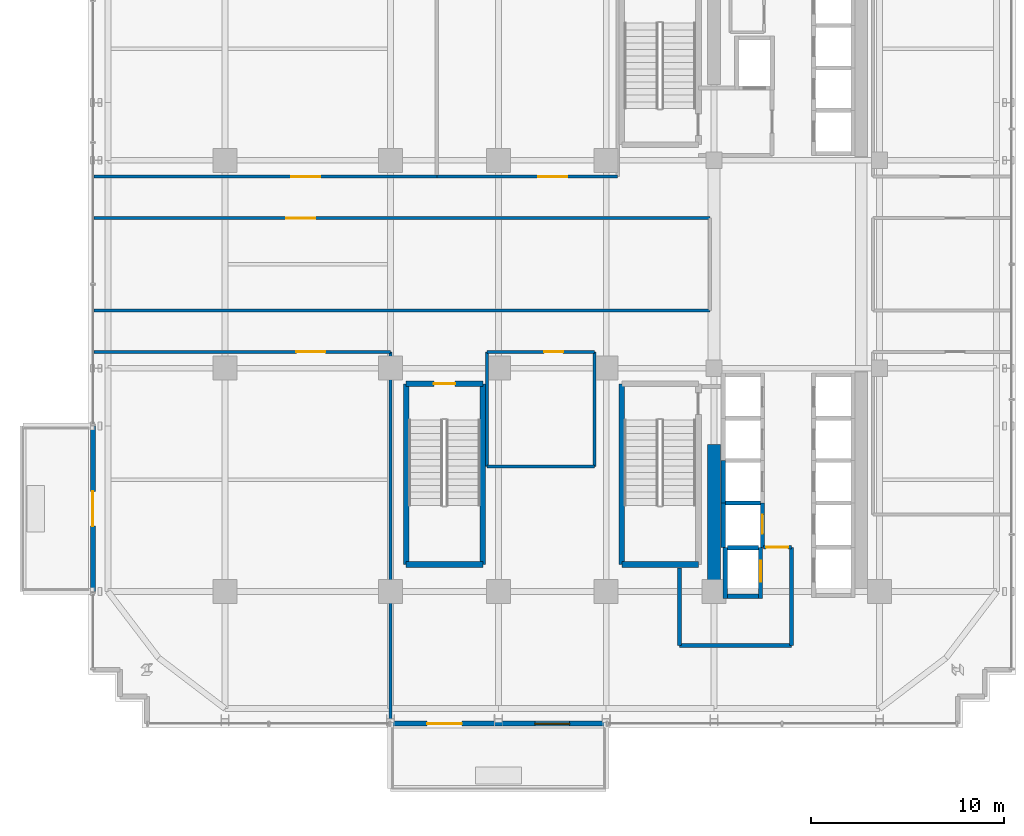
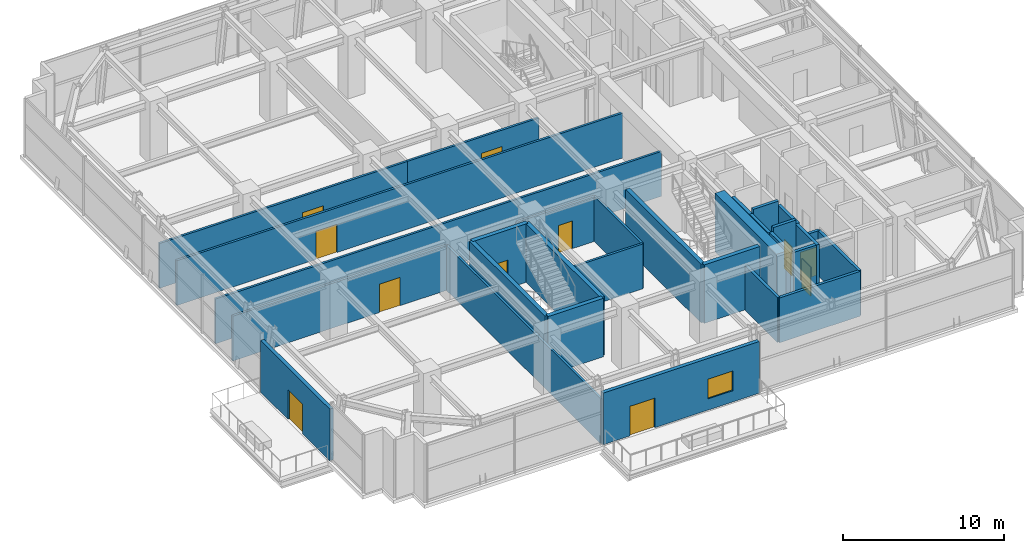
# One storey, part 20 of 26: 31 walls, 11 doors, 1 window, 12 openings.
"""IFC4 building model written with IfcOpenShell, lengths in metres."""

from ifc_helpers import new_model, si_unit, direction, frame, frame_2d, origin, place, context, subcontext, project, spatial, rectangle, extrude, source, transform, mapped, material, layer, layer_set, type_object, element, fill, save


model = new_model("IFC4")

# Units and contexts
model_context = context("Model", 3, precision=1e-05, world=origin(), true_north=direction((0.0, 1.0)))
body_context = subcontext(model_context, "Body", "Model", "MODEL_VIEW")
ifc_project = project(units=[si_unit("LENGTHUNIT", "METRE"), si_unit("AREAUNIT", "SQUARE_METRE"), si_unit("VOLUMEUNIT", "CUBIC_METRE"), si_unit("PLANEANGLEUNIT", "RADIAN"), si_unit("MASSUNIT", "GRAM", prefix="KILO")], contexts=[model_context])

# Site, building, storey
site_placement = place(None, origin())
site = spatial("IfcSite", under=ifc_project, at=site_placement, CompositionType="ELEMENT")
building_placement = place(site_placement, origin())
building = spatial("IfcBuilding", under=site, at=building_placement, Name="Nahalor Promenade Grand Hotel", CompositionType="ELEMENT")
storey_placement = place(building_placement, frame((0.0, 0.0, 139.39990234375)))
storey = spatial("IfcBuildingStorey", under=building, at=storey_placement, Name="L35", CompositionType="ELEMENT", Elevation=139.39990234375)

# Walls
ifc_material_1 = material(Name="Concrete B-60 (C50/60)", Category="concrete")
ifc_layer_1 = layer(ifc_material_1, 0.64990234375)
ifc_layer_set_1 = layer_set([ifc_layer_1], Name="Concrete B-60 (C50/60)")
wall_type_1 = type_object("IfcWallType", Name="Wall-CoreShear-650", PredefinedType="SHEAR", material=ifc_layer_set_1)
shared_shape_1 = source(origin(), body_context, "Body", "SweptSolid", [
    extrude(rectangle(XDim=7.64990234375, YDim=0.64990234375, at=frame_2d((3.824951171875, 0.0))), origin(), (0.0, 0.0, 1.0), 4.440185546875),
])
wall_1_placement = place(storey_placement, frame((8.39990234375, -17.0, 0.0), z_axis=(0.0, 0.0, 1.0), x_axis=(0.0, 1.0, 0.0)))
element("IfcWall", 1, at=wall_1_placement, inside=storey, type_object=wall_type_1, Name="CWALL-L35-SW", PredefinedType="SHEAR", context=body_context, shape_type="MappedRepresentation", body=[
    mapped(shared_shape_1, transform((0.0, 0.0, 0.0), scale=1.0)),
])
ifc_material_2 = material(Name="Concrete B-50 (C40/50)", Category="concrete")
ifc_layer_2 = layer(ifc_material_2, 0.300048828125)
ifc_layer_set_2 = layer_set([ifc_layer_2], Name="Concrete B-50 (C40/50)")
wall_type_2 = type_object("IfcWallType", Name="Wall-ShaftShear-300", PredefinedType="SHEAR", material=ifc_layer_set_2)
shared_shape_2 = source(origin(), body_context, "Body", "SweptSolid", [
    extrude(rectangle(XDim=3.97998046875, YDim=0.300048828125, at=frame_2d((1.989990234375, 0.0))), origin(), (0.0, 0.0, 1.0), 4.440185546875),
])
for number, where, z_axis, x_axis, name in (
    (2, (3.610107421875, -15.590087890625, 0.0), (0.0, 0.0, 1.0), (1.0, 0.0, 0.0), "L35 Exit Stair ST2 Shaft Wall S"),
    (3, (-7.590087890625, -15.590087890625, 0.0), (0.0, 0.0, 1.0), (1.0, 0.0, 0.0), "L35 Exit Stair ST3 Shaft Wall S"),
):
    element("IfcWall", number, at=place(storey_placement, frame(where, z_axis=z_axis, x_axis=x_axis)), inside=storey, type_object=wall_type_2, Name=name, PredefinedType="SHEAR", context=body_context, shape_type="MappedRepresentation", body=[
        mapped(shared_shape_2, transform((0.0, 0.0, 0.0), scale=1.0)),
    ])

# Wall, opening, door
wall_2_placement = place(storey_placement, frame((-7.590087890625, -6.2099609375, 0.0), z_axis=(0.0, 0.0, 1.0), x_axis=(1.0, 0.0, 0.0)))
wall_2 = element("IfcWall", 4, at=wall_2_placement, inside=storey, type_object=wall_type_2, Name="L35 Exit Stair ST3 Shaft Wall N", PredefinedType="SHEAR", context=body_context, shape_type="MappedRepresentation", body=[
    mapped(shared_shape_2, transform((0.0, 0.0, 0.0), scale=1.0)),
])
opening_1_placement = place(wall_2_placement, frame((1.43994140625, 0.0, 0.0)))
opening_1 = element("IfcOpeningElement", 5, at=opening_1_placement, cuts=wall_2, Name="Opening D-ST1", PredefinedType="OPENING", context=body_context, shape_type="SweptSolid", body=[
    extrude(rectangle(XDim=1.10009765625, YDim=2.14990234375, at=frame_2d((0.550048828125, 1.074951171875))), frame((0.0, 0.159912109375, 0.0), z_axis=(0.0, -1.0, 0.0), x_axis=(1.0, 0.0, 0.0)), (0.0, 0.0, 1.0), 0.320068359375),
])
ifc_material_3 = material(Name="Steel S355JR", Category="steel")
door_type_1 = type_object("IfcDoorType", Name="Door-StairFire-1100", OperationType="NOTDEFINED", PredefinedType="DOOR", material=ifc_material_3)
shared_shape_3 = source(origin(), body_context, "Body", "SweptSolid", [
    extrude(rectangle(XDim=1.10009765625, YDim=2.14990234375, at=frame_2d((0.550048828125, 1.074951171875))), frame((0.0, 0.02490234375, 0.0), z_axis=(0.0, -1.0, 0.0), x_axis=(1.0, 0.0, 0.0)), (0.0, 0.0, 1.0), 0.050048828125),
])
door_1_placement = place(opening_1_placement, frame((1.10009765625, 0.0, 0.0), z_axis=(0.0, 0.0, 1.0), x_axis=(-1.0, 0.0, 0.0)))
door_1 = element("IfcDoor", 6, at=door_1_placement, inside=storey, type_object=door_type_1, Name="DR-STAIR-ST3-L35", OperationType="SINGLE_SWING_RIGHT", OverallHeight=2.14990234375, OverallWidth=1.10009765625, PredefinedType="DOOR", context=body_context, shape_type="MappedRepresentation", body=[
    mapped(shared_shape_3, transform((0.0, 0.0, 0.0), scale=1.0)),
])
fill(opening_1, door_1)

# Walls
shared_shape_4 = source(origin(), body_context, "Body", "SweptSolid", [
    extrude(rectangle(XDim=9.380126953125, YDim=0.300048828125, at=frame_2d((4.68994140625, 0.0))), origin(), (0.0, 0.0, 1.0), 4.440185546875),
])
for number, where, z_axis, x_axis, name in (
    (7, (3.610107421875, -15.590087890625, 0.0), (0.0, 0.0, 1.0), (0.0, 1.0, 0.0), "L35 Exit Stair ST2 Shaft Wall W"),
    (8, (-7.590087890625, -15.590087890625, 0.0), (0.0, 0.0, 1.0), (0.0, 1.0, 0.0), "L35 Exit Stair ST3 Shaft Wall W"),
    (9, (-3.610107421875, -15.590087890625, 0.0), (0.0, 0.0, 1.0), (0.0, 1.0, 0.0), "L35 Exit Stair ST3 Shaft Wall E"),
):
    element("IfcWall", number, at=place(storey_placement, frame(where, z_axis=z_axis, x_axis=x_axis)), inside=storey, type_object=wall_type_2, Name=name, PredefinedType="SHEAR", context=body_context, shape_type="MappedRepresentation", body=[
        mapped(shared_shape_4, transform((0.0, 0.0, 0.0), scale=1.0)),
    ])
ifc_layer_3 = layer(ifc_material_2, 0.219970703125)
ifc_layer_set_3 = layer_set([ifc_layer_3], Name="Concrete B-50 (C40/50)")
wall_type_3 = type_object("IfcWallType", Name="Wall-LiftShaft-220", PredefinedType="SHEAR", material=ifc_layer_set_3)
shared_shape_5 = source(origin(), body_context, "Body", "SweptSolid", [
    extrude(rectangle(XDim=1.820068359375, YDim=0.219970703125, at=frame_2d((0.91015625, 0.0))), origin(), (0.0, 0.0, 1.0), 4.800048828125),
])
wall_3_placement = place(storey_placement, frame((8.989990234375, -12.39990234375, 0.0), z_axis=(0.0, 0.0, 1.0), x_axis=(1.0, 0.0, 0.0)))
element("IfcWall", 10, at=wall_3_placement, inside=storey, type_object=wall_type_3, Name="L35 Lift PL12 Hoistway Wall N", PredefinedType="SHEAR", context=body_context, shape_type="MappedRepresentation", body=[
    mapped(shared_shape_5, transform((0.0, 0.0, 0.0), scale=1.0)),
])
shared_shape_6 = source(origin(), body_context, "Body", "SweptSolid", [
    extrude(rectangle(XDim=2.199951171875, YDim=0.219970703125, at=frame_2d((1.10009765625, 0.0))), origin(), (0.0, 0.0, 1.0), 4.440185546875),
])
wall_4_placement = place(storey_placement, frame((8.8798828125, -12.39990234375, 0.0), z_axis=(0.0, 0.0, 1.0), x_axis=(0.0, 1.0, 0.0)))
element("IfcWall", 11, at=wall_4_placement, inside=storey, type_object=wall_type_3, Name="L35 Lift PL11 Hoistway Wall W", PredefinedType="SHEAR", context=body_context, shape_type="MappedRepresentation", body=[
    mapped(shared_shape_6, transform((0.0, 0.0, 0.0), scale=1.0)),
])
shared_shape_7 = source(origin(), body_context, "Body", "SweptSolid", [
    extrude(rectangle(XDim=2.3251953125, YDim=0.219970703125, at=frame_2d((1.16259765625, 0.0))), origin(), (0.0, 0.0, 1.0), 4.440185546875),
])
wall_5_placement = place(storey_placement, frame((8.8798828125, -14.72509765625, 0.0), z_axis=(0.0, 0.0, 1.0), x_axis=(0.0, 1.0, 0.0)))
element("IfcWall", 12, at=wall_5_placement, inside=storey, type_object=wall_type_3, Name="L35 Lift PL12 Hoistway Wall W", PredefinedType="SHEAR", context=body_context, shape_type="MappedRepresentation", body=[
    mapped(shared_shape_7, transform((0.0, 0.0, 0.0), scale=1.0)),
])

# Wall, opening, door
wall_6_placement = place(storey_placement, frame((10.919921875, -14.72509765625, 0.0), z_axis=(0.0, 0.0, 1.0), x_axis=(0.0, 1.0, 0.0)))
wall_6 = element("IfcWall", 13, at=wall_6_placement, inside=storey, type_object=wall_type_3, Name="L35 Lift PL12 Hoistway Wall E", PredefinedType="SHEAR", context=body_context, shape_type="MappedRepresentation", body=[
    mapped(shared_shape_7, transform((0.0, 0.0, 0.0), scale=1.0)),
])
opening_2_placement = place(wall_6_placement, frame((0.72509765625, 0.0, 0.0)))
opening_2 = element("IfcOpeningElement", 14, at=opening_2_placement, cuts=wall_6, Name="Opening LD-01", PredefinedType="OPENING", context=body_context, shape_type="SweptSolid", body=[
    extrude(rectangle(XDim=1.0, YDim=2.199951171875, at=frame_2d((0.5, 1.10009765625))), frame((0.0, 0.119873046875, 0.0), z_axis=(0.0, -1.0, 0.0), x_axis=(1.0, 0.0, 0.0)), (0.0, 0.0, 1.0), 0.239990234375),
])
door_type_2 = type_object("IfcDoorType", Name="Door-LiftLanding-1000", OperationType="DOUBLE_DOOR_SLIDING", PredefinedType="DOOR", material=ifc_material_3)
shared_shape_8 = source(origin(), body_context, "Body", "SweptSolid", [
    extrude(rectangle(XDim=1.0, YDim=2.199951171875, at=frame_2d((0.5, 1.10009765625))), frame((0.0, 0.02490234375, 0.0), z_axis=(0.0, -1.0, 0.0), x_axis=(1.0, 0.0, 0.0)), (0.0, 0.0, 1.0), 0.050048828125),
])
door_2_placement = place(opening_2_placement, frame((1.0, 0.0, 0.0), z_axis=(0.0, 0.0, 1.0), x_axis=(-1.0, 0.0, 0.0)))
door_2 = element("IfcDoor", 15, at=door_2_placement, inside=storey, type_object=door_type_2, Name="DR-LIFT-PL12-L35", OperationType="DOUBLE_DOOR_SLIDING", OverallHeight=2.199951171875, OverallWidth=1.0, PredefinedType="DOOR", context=body_context, shape_type="MappedRepresentation", body=[
    mapped(shared_shape_8, transform((0.0, 0.0, 0.0), scale=1.0)),
])
fill(opening_2, door_2)

# Walls
shared_shape_9 = source(origin(), body_context, "Body", "SweptSolid", [
    extrude(rectangle(XDim=1.619873046875, YDim=0.219970703125, at=frame_2d((0.81005859375, 0.0))), origin(), (0.0, 0.0, 1.0), 4.800048828125),
])
wall_7_placement = place(storey_placement, frame((9.090087890625, -14.72509765625, 0.0), z_axis=(0.0, 0.0, 1.0), x_axis=(1.0, 0.0, 0.0)))
element("IfcWall", 16, at=wall_7_placement, inside=storey, type_object=wall_type_3, Name="L35 Lift FL2 Hoistway Wall N", PredefinedType="SHEAR", context=body_context, shape_type="MappedRepresentation", body=[
    mapped(shared_shape_9, transform((0.0, 0.0, 0.0), scale=1.0)),
])
shared_shape_10 = source(origin(), body_context, "Body", "SweptSolid", [
    extrude(rectangle(XDim=2.635009765625, YDim=0.219970703125, at=frame_2d((1.3173828125, 0.0))), origin(), (0.0, 0.0, 1.0), 4.440185546875),
])
wall_8_placement = place(storey_placement, frame((8.97998046875, -17.360107421875, 0.0), z_axis=(0.0, 0.0, 1.0), x_axis=(0.0, 1.0, 0.0)))
element("IfcWall", 17, at=wall_8_placement, inside=storey, type_object=wall_type_3, Name="L35 Lift FL2 Hoistway Wall W", PredefinedType="SHEAR", context=body_context, shape_type="MappedRepresentation", body=[
    mapped(shared_shape_10, transform((0.0, 0.0, 0.0), scale=1.0)),
])

# Wall, opening, door
wall_9_placement = place(storey_placement, frame((10.820068359375, -17.360107421875, 0.0), z_axis=(0.0, 0.0, 1.0), x_axis=(0.0, 1.0, 0.0)))
wall_9 = element("IfcWall", 18, at=wall_9_placement, inside=storey, type_object=wall_type_3, Name="L35 Lift FL2 Hoistway Wall E", PredefinedType="SHEAR", context=body_context, shape_type="MappedRepresentation", body=[
    mapped(shared_shape_10, transform((0.0, 0.0, 0.0), scale=1.0)),
])
opening_3_placement = place(wall_9_placement, frame((0.860107421875, 0.0, 0.0)))
opening_3 = element("IfcOpeningElement", 19, at=opening_3_placement, cuts=wall_9, Name="Opening LD-02", PredefinedType="OPENING", context=body_context, shape_type="SweptSolid", body=[
    extrude(rectangle(XDim=1.10009765625, YDim=2.199951171875, at=frame_2d((0.550048828125, 1.10009765625))), frame((0.0, 0.119873046875, 0.0), z_axis=(0.0, -1.0, 0.0), x_axis=(1.0, 0.0, 0.0)), (0.0, 0.0, 1.0), 0.239990234375),
])
door_type_3 = type_object("IfcDoorType", Name="Door-LiftFF-1100", OperationType="DOUBLE_DOOR_SLIDING", PredefinedType="DOOR", material=ifc_material_3)
shared_shape_11 = source(origin(), body_context, "Body", "SweptSolid", [
    extrude(rectangle(XDim=1.10009765625, YDim=2.199951171875, at=frame_2d((0.550048828125, 1.10009765625))), frame((0.0, 0.02490234375, 0.0), z_axis=(0.0, -1.0, 0.0), x_axis=(1.0, 0.0, 0.0)), (0.0, 0.0, 1.0), 0.050048828125),
])
door_3_placement = place(opening_3_placement, frame((1.10009765625, 0.0, 0.0), z_axis=(0.0, 0.0, 1.0), x_axis=(-1.0, 0.0, 0.0)))
door_3 = element("IfcDoor", 20, at=door_3_placement, inside=storey, type_object=door_type_3, Name="DR-LIFT-FL2-L35", OperationType="DOUBLE_DOOR_SLIDING", OverallHeight=2.199951171875, OverallWidth=1.10009765625, PredefinedType="DOOR", context=body_context, shape_type="MappedRepresentation", body=[
    mapped(shared_shape_11, transform((0.0, 0.0, 0.0), scale=1.0)),
])
fill(opening_3, door_3)

# Wall
shared_shape_12 = source(origin(), body_context, "Body", "SweptSolid", [
    extrude(rectangle(XDim=1.619873046875, YDim=0.219970703125, at=frame_2d((0.81005859375, 0.0))), origin(), (0.0, 0.0, 1.0), 4.440185546875),
])
wall_10_placement = place(storey_placement, frame((9.090087890625, -17.25, 0.0), z_axis=(0.0, 0.0, 1.0), x_axis=(1.0, 0.0, 0.0)))
element("IfcWall", 21, at=wall_10_placement, inside=storey, type_object=wall_type_3, Name="L35 Lift FL2 Hoistway Wall S", PredefinedType="SHEAR", context=body_context, shape_type="MappedRepresentation", body=[
    mapped(shared_shape_12, transform((0.0, 0.0, 0.0), scale=1.0)),
])

# Wall, openings, door, window
ifc_material_4 = material(Name="Concrete B-40 (C32/40)", Category="concrete")
ifc_layer_4 = layer(ifc_material_4, 0.260009765625)
ifc_layer_set_4 = layer_set([ifc_layer_4], Name="Concrete B-40 (C32/40)")
wall_type_4 = type_object("IfcWallType", Name="Wall-BalconyWall-260", PredefinedType="STANDARD", material=ifc_layer_set_4)
shared_shape_13 = source(origin(), body_context, "Body", "SweptSolid", [
    extrude(rectangle(XDim=11.199951171875, YDim=0.260009765625, at=frame_2d((5.60009765625, 0.0))), origin(), (0.0, 0.0, 1.0), 3.920166015625),
])
wall_11_placement = place(storey_placement, frame((-8.39990234375, -23.860107421875, 0.0), z_axis=(0.0, 0.0, 1.0), x_axis=(1.0, 0.0, 0.0)))
wall_11 = element("IfcWall", 22, at=wall_11_placement, inside=storey, type_object=wall_type_4, Name="W-L35-BALC-S-2", PredefinedType="STANDARD", context=body_context, shape_type="MappedRepresentation", body=[
    mapped(shared_shape_13, transform((0.0, 0.0, 0.0), scale=1.0)),
])
opening_4_placement = place(wall_11_placement, frame((1.89990234375, 0.0, 0.0)))
opening_4 = element("IfcOpeningElement", 23, at=opening_4_placement, cuts=wall_11, Name="Opening D-BC1", PredefinedType="OPENING", context=body_context, shape_type="SweptSolid", body=[
    extrude(rectangle(XDim=1.800048828125, YDim=2.25, at=frame_2d((0.89990234375, 1.125))), frame((0.0, 0.139892578125, 0.0), z_axis=(0.0, -1.0, 0.0), x_axis=(1.0, 0.0, 0.0)), (0.0, 0.0, 1.0), 0.280029296875),
])
opening_5_placement = place(wall_11_placement, frame((7.5, 0.0, 0.85009765625)))
opening_5 = element("IfcOpeningElement", 24, at=opening_5_placement, cuts=wall_11, Name="Opening WN-01", PredefinedType="OPENING", context=body_context, shape_type="SweptSolid", body=[
    extrude(rectangle(XDim=1.800048828125, YDim=1.5, at=frame_2d((0.89990234375, 0.75))), frame((0.0, 0.139892578125, 0.0), z_axis=(0.0, -1.0, 0.0), x_axis=(1.0, 0.0, 0.0)), (0.0, 0.0, 1.0), 0.280029296875),
])
ifc_material_5 = material(Name="Anodised Bronze Aluminium EN AW-6063 T6", Category="aluminium")
door_type_4 = type_object("IfcDoorType", Name="Door-BalconySlide-1800", OperationType="DOUBLE_DOOR_SLIDING", PredefinedType="DOOR", material=ifc_material_5)
shared_shape_14 = source(origin(), body_context, "Body", "SweptSolid", [
    extrude(rectangle(XDim=1.800048828125, YDim=2.25, at=frame_2d((0.89990234375, 1.125))), frame((0.0, 0.02490234375, 0.0), z_axis=(0.0, -1.0, 0.0), x_axis=(1.0, 0.0, 0.0)), (0.0, 0.0, 1.0), 0.050048828125),
])
door_4_placement = place(opening_4_placement, frame((1.800048828125, 0.0, 0.0), z_axis=(0.0, 0.0, 1.0), x_axis=(-1.0, 0.0, 0.0)))
door_4 = element("IfcDoor", 25, at=door_4_placement, inside=storey, type_object=door_type_4, Name="DR-L35-BALC-S-2", OperationType="DOUBLE_DOOR_SLIDING", OverallHeight=2.25, OverallWidth=1.800048828125, PredefinedType="DOOR", context=body_context, shape_type="MappedRepresentation", body=[
    mapped(shared_shape_14, transform((0.0, 0.0, 0.0), scale=1.0)),
])
fill(opening_4, door_4)
ifc_material_6 = material(Name="Low-E Laminated Solar Glass", Category="glass")
window_type = type_object("IfcWindowType", Name="Win-ChicagoBay-1800x1500", PartitioningType="SINGLE_PANEL", PredefinedType="WINDOW", material=ifc_material_6)
shared_shape_15 = source(origin(), body_context, "Body", "SweptSolid", [
    extrude(rectangle(XDim=1.800048828125, YDim=1.5, at=frame_2d((0.89990234375, 0.75))), frame((0.0, 0.030029296875, 0.0), z_axis=(0.0, -1.0, 0.0), x_axis=(1.0, 0.0, 0.0)), (0.0, 0.0, 1.0), 0.06005859375),
])
window_placement = place(opening_5_placement, origin())
window = element("IfcWindow", 26, at=window_placement, inside=storey, type_object=window_type, Name="WN-L35-BALC-S-2-1", OverallHeight=1.5, OverallWidth=1.800048828125, PartitioningType="SINGLE_PANEL", PredefinedType="WINDOW", context=body_context, shape_type="MappedRepresentation", body=[
    mapped(shared_shape_15, transform((0.0, 0.0, 0.0), scale=1.0)),
])
fill(opening_5, window)

# Wall, opening, door
shared_shape_16 = source(origin(), body_context, "Body", "SweptSolid", [
    extrude(rectangle(XDim=8.60009765625, YDim=0.260009765625, at=frame_2d((4.300048828125, 0.0))), origin(), (0.0, 0.0, 1.0), 3.920166015625),
])
wall_12_placement = place(storey_placement, frame((-23.860107421875, -17.0, 0.0), z_axis=(0.0, 0.0, 1.0), x_axis=(0.0, 1.0, 0.0)))
wall_12 = element("IfcWall", 27, at=wall_12_placement, inside=storey, type_object=wall_type_4, Name="W-L35-BALC-W-2", PredefinedType="STANDARD", context=body_context, shape_type="MappedRepresentation", body=[
    mapped(shared_shape_16, transform((0.0, 0.0, 0.0), scale=1.0)),
])
opening_6_placement = place(wall_12_placement, frame((3.39990234375, 0.0, 0.0)))
opening_6 = element("IfcOpeningElement", 28, at=opening_6_placement, cuts=wall_12, Name="Opening D-BC1", PredefinedType="OPENING", context=body_context, shape_type="SweptSolid", body=[
    extrude(rectangle(XDim=1.800048828125, YDim=2.25, at=frame_2d((0.89990234375, 1.125))), frame((0.0, 0.139892578125, 0.0), z_axis=(0.0, -1.0, 0.0), x_axis=(1.0, 0.0, 0.0)), (0.0, 0.0, 1.0), 0.280029296875),
])
door_5_placement = place(opening_6_placement, origin())
door_5 = element("IfcDoor", 29, at=door_5_placement, inside=storey, type_object=door_type_4, Name="DR-L35-BALC-W-2", OperationType="DOUBLE_DOOR_SLIDING", OverallHeight=2.25, OverallWidth=1.800048828125, PredefinedType="DOOR", context=body_context, shape_type="MappedRepresentation", body=[
    mapped(shared_shape_14, transform((0.0, 0.0, 0.0), scale=1.0)),
])
fill(opening_6, door_5)

# Walls
ifc_layer_5 = layer(ifc_material_4, 0.199951171875)
ifc_layer_set_5 = layer_set([ifc_layer_5], Name="Concrete B-40 (C32/40)")
wall_type_5 = type_object("IfcWallType", Name="Wall-PartFire-200", PredefinedType="PARTITIONING", material=ifc_layer_set_5)
shared_shape_17 = source(origin(), body_context, "Body", "SweptSolid", [
    extrude(rectangle(XDim=5.81982421875, YDim=0.199951171875, at=frame_2d((2.909912109375, 0.0))), origin(), (0.0, 0.0, 1.0), 3.400146484375),
])
wall_13_placement = place(storey_placement, frame((6.60009765625, -19.800048828125, 0.0), z_axis=(0.0, 0.0, 1.0), x_axis=(1.0, 0.0, 0.0)))
element("IfcWall", 30, at=wall_13_placement, inside=storey, type_object=wall_type_5, Name="W-L35-FF2-S1", PredefinedType="PARTITIONING", context=body_context, shape_type="MappedRepresentation", body=[
    mapped(shared_shape_17, transform((0.0, 0.0, 0.0), scale=1.0)),
])
shared_shape_18 = source(origin(), body_context, "Body", "SweptSolid", [
    extrude(rectangle(XDim=4.030029296875, YDim=0.199951171875, at=frame_2d((2.01513671875, 0.0))), origin(), (0.0, 0.0, 1.0), 3.400146484375),
])
wall_14_placement = place(storey_placement, frame((6.60009765625, -19.800048828125, 0.0), z_axis=(0.0, 0.0, 1.0), x_axis=(0.0, 1.0, 0.0)))
element("IfcWall", 31, at=wall_14_placement, inside=storey, type_object=wall_type_5, Name="W-L35-FF2-W1", PredefinedType="PARTITIONING", context=body_context, shape_type="MappedRepresentation", body=[
    mapped(shared_shape_18, transform((0.0, 0.0, 0.0), scale=1.0)),
])
shared_shape_19 = source(origin(), body_context, "Body", "SweptSolid", [
    extrude(rectangle(XDim=5.10009765625, YDim=0.199951171875, at=frame_2d((2.550048828125, 0.0))), origin(), (0.0, 0.0, 1.0), 3.400146484375),
])
wall_15_placement = place(storey_placement, frame((12.419921875, -19.800048828125, 0.0), z_axis=(0.0, 0.0, 1.0), x_axis=(0.0, 1.0, 0.0)))
element("IfcWall", 32, at=wall_15_placement, inside=storey, type_object=wall_type_5, Name="W-L35-FF2-E", PredefinedType="PARTITIONING", context=body_context, shape_type="MappedRepresentation", body=[
    mapped(shared_shape_19, transform((0.0, 0.0, 0.0), scale=1.0)),
])

# Wall, opening, door
shared_shape_20 = source(origin(), body_context, "Body", "SweptSolid", [
    extrude(rectangle(XDim=1.4599609375, YDim=0.199951171875, at=frame_2d((0.72998046875, 0.0))), origin(), (0.0, 0.0, 1.0), 3.400146484375),
])
wall_16_placement = place(storey_placement, frame((10.9599609375, -14.699951171875, 0.0), z_axis=(0.0, 0.0, 1.0), x_axis=(1.0, 0.0, 0.0)))
wall_16 = element("IfcWall", 33, at=wall_16_placement, inside=storey, type_object=wall_type_5, Name="W-L35-FF2-N1", PredefinedType="PARTITIONING", context=body_context, shape_type="MappedRepresentation", body=[
    mapped(shared_shape_20, transform((0.0, 0.0, 0.0), scale=1.0)),
])
opening_7_placement = place(wall_16_placement, frame((0.14501953125, 0.0, 0.0)))
opening_7 = element("IfcOpeningElement", 34, at=opening_7_placement, cuts=wall_16, Name="Opening D-FF1", PredefinedType="OPENING", context=body_context, shape_type="SweptSolid", body=[
    extrude(rectangle(XDim=1.14990234375, YDim=2.14990234375, at=frame_2d((0.574951171875, 1.074951171875))), frame((0.0, 0.10986328125, 0.0), z_axis=(0.0, -1.0, 0.0), x_axis=(1.0, 0.0, 0.0)), (0.0, 0.0, 1.0), 0.219970703125),
])
door_type_5 = type_object("IfcDoorType", Name="Door-FFLobby-1150", OperationType="NOTDEFINED", PredefinedType="DOOR", material=ifc_material_3)
shared_shape_21 = source(origin(), body_context, "Body", "SweptSolid", [
    extrude(rectangle(XDim=1.14990234375, YDim=2.14990234375, at=frame_2d((0.574951171875, 1.074951171875))), frame((0.0, 0.02490234375, 0.0), z_axis=(0.0, -1.0, 0.0), x_axis=(1.0, 0.0, 0.0)), (0.0, 0.0, 1.0), 0.050048828125),
])
door_6_placement = place(opening_7_placement, origin())
door_6 = element("IfcDoor", 35, at=door_6_placement, inside=storey, type_object=door_type_5, Name="DR-L35-FFL2", OperationType="SINGLE_SWING_LEFT", OverallHeight=2.14990234375, OverallWidth=1.14990234375, PredefinedType="DOOR", context=body_context, shape_type="MappedRepresentation", body=[
    mapped(shared_shape_21, transform((0.0, 0.0, 0.0), scale=1.0)),
])
fill(opening_7, door_6)

# Wall
ifc_material_7 = material(Name="Acoustic Mineral Gypsum", Category="gypsum")
ifc_layer_6 = layer(ifc_material_7, 0.159912109375)
ifc_layer_set_6 = layer_set([ifc_layer_6], Name="Acoustic Mineral Gypsum")
wall_type_6 = type_object("IfcWallType", Name="Wall-PartCorridor-160", PredefinedType="PARTITIONING", material=ifc_layer_set_6)
shared_shape_22 = source(origin(), body_context, "Body", "SweptSolid", [
    extrude(rectangle(XDim=5.599853515625, YDim=0.159912109375, at=frame_2d((2.7998046875, 0.0))), origin(), (0.0, 0.0, 1.0), 3.400146484375),
])
wall_17_placement = place(storey_placement, frame((-3.39990234375, -10.5, 0.0), z_axis=(0.0, 0.0, 1.0), x_axis=(1.0, 0.0, 0.0)))
element("IfcWall", 36, at=wall_17_placement, inside=storey, type_object=wall_type_6, Name="W-L35-SK08-S", PredefinedType="PARTITIONING", context=body_context, shape_type="MappedRepresentation", body=[
    mapped(shared_shape_22, transform((0.0, 0.0, 0.0), scale=1.0)),
])

# Wall, opening, door
wall_18_placement = place(storey_placement, frame((-3.39990234375, -4.550048828125, 0.0), z_axis=(0.0, 0.0, 1.0), x_axis=(1.0, 0.0, 0.0)))
wall_18 = element("IfcWall", 37, at=wall_18_placement, inside=storey, type_object=wall_type_6, Name="W-L35-SK08-N", PredefinedType="PARTITIONING", context=body_context, shape_type="MappedRepresentation", body=[
    mapped(shared_shape_22, transform((0.0, 0.0, 0.0), scale=1.0)),
])
opening_8_placement = place(wall_18_placement, frame((2.97802734375, 0.0, 0.0)))
opening_8 = element("IfcOpeningElement", 38, at=opening_8_placement, cuts=wall_18, Name="Opening D-05", PredefinedType="OPENING", context=body_context, shape_type="SweptSolid", body=[
    extrude(rectangle(XDim=0.97998046875, YDim=2.10009765625, at=frame_2d((0.489990234375, 1.050048828125))), frame((0.0, 0.08984375, 0.0), z_axis=(0.0, -1.0, 0.0), x_axis=(1.0, 0.0, 0.0)), (0.0, 0.0, 1.0), 0.179931640625),
])
ifc_material_8 = material(Name="Fire-Rated Timber Composite", Category="wood")
door_type_6 = type_object("IfcDoorType", Name="Door-AccessibleWC-980", OperationType="NOTDEFINED", PredefinedType="DOOR", material=ifc_material_8)
shared_shape_23 = source(origin(), body_context, "Body", "SweptSolid", [
    extrude(rectangle(XDim=0.97998046875, YDim=2.10009765625, at=frame_2d((0.489990234375, 1.050048828125))), frame((0.0, 0.02490234375, 0.0), z_axis=(0.0, -1.0, 0.0), x_axis=(1.0, 0.0, 0.0)), (0.0, 0.0, 1.0), 0.050048828125),
])
door_7_placement = place(opening_8_placement, frame((0.97998046875, 0.0, 0.0), z_axis=(0.0, 0.0, 1.0), x_axis=(-1.0, 0.0, 0.0)))
door_7 = element("IfcDoor", 39, at=door_7_placement, inside=storey, type_object=door_type_6, Name="DR-L35-SK08", OperationType="SINGLE_SWING_RIGHT", OverallHeight=2.10009765625, OverallWidth=0.97998046875, PredefinedType="DOOR", context=body_context, shape_type="MappedRepresentation", body=[
    mapped(shared_shape_23, transform((0.0, 0.0, 0.0), scale=1.0)),
])
fill(opening_8, door_7)

# Wall
shared_shape_24 = source(origin(), body_context, "Body", "SweptSolid", [
    extrude(rectangle(XDim=32.0, YDim=0.159912109375, at=frame_2d((16.0, 0.0))), origin(), (0.0, 0.0, 1.0), 3.400146484375),
])
wall_19_placement = place(storey_placement, frame((-23.800048828125, -2.39990234375, 0.0), z_axis=(0.0, 0.0, 1.0), x_axis=(1.0, 0.0, 0.0)))
element("IfcWall", 40, at=wall_19_placement, inside=storey, type_object=wall_type_6, Name="W-L35-SK01-S", PredefinedType="PARTITIONING", context=body_context, shape_type="MappedRepresentation", body=[
    mapped(shared_shape_24, transform((0.0, 0.0, 0.0), scale=1.0)),
])

# Wall, opening, door
wall_20_placement = place(storey_placement, frame((-23.800048828125, 2.39990234375, 0.0), z_axis=(0.0, 0.0, 1.0), x_axis=(1.0, 0.0, 0.0)))
wall_20 = element("IfcWall", 41, at=wall_20_placement, inside=storey, type_object=wall_type_6, Name="W-L35-SK01-N", PredefinedType="PARTITIONING", context=body_context, shape_type="MappedRepresentation", body=[
    mapped(shared_shape_24, transform((0.0, 0.0, 0.0), scale=1.0)),
])
opening_9_placement = place(wall_20_placement, frame((9.990966796875, 0.0, 0.0)))
opening_9 = element("IfcOpeningElement", 42, at=opening_9_placement, cuts=wall_20, Name="Opening D-02", PredefinedType="OPENING", context=body_context, shape_type="SweptSolid", body=[
    extrude(rectangle(XDim=1.5, YDim=2.14990234375, at=frame_2d((0.75, 1.074951171875))), frame((0.0, 0.08984375, 0.0), z_axis=(0.0, -1.0, 0.0), x_axis=(1.0, 0.0, 0.0)), (0.0, 0.0, 1.0), 0.179931640625),
])
door_type_7 = type_object("IfcDoorType", Name="Door-SuiteDouble-1500", OperationType="DOUBLE_DOOR_SINGLE_SWING", PredefinedType="DOOR", material=ifc_material_8)
shared_shape_25 = source(origin(), body_context, "Body", "SweptSolid", [
    extrude(rectangle(XDim=1.5, YDim=2.14990234375, at=frame_2d((0.75, 1.074951171875))), frame((0.0, 0.02490234375, 0.0), z_axis=(0.0, -1.0, 0.0), x_axis=(1.0, 0.0, 0.0)), (0.0, 0.0, 1.0), 0.050048828125),
])
door_8_placement = place(opening_9_placement, frame((1.5, 0.0, 0.0), z_axis=(0.0, 0.0, 1.0), x_axis=(-1.0, 0.0, 0.0)))
door_8 = element("IfcDoor", 43, at=door_8_placement, inside=storey, type_object=door_type_7, Name="DR-L35-SK01", OperationType="DOUBLE_DOOR_SINGLE_SWING", OverallHeight=2.14990234375, OverallWidth=1.5, PredefinedType="DOOR", context=body_context, shape_type="MappedRepresentation", body=[
    mapped(shared_shape_25, transform((0.0, 0.0, 0.0), scale=1.0)),
])
fill(opening_9, door_8)

shared_shape_26 = source(origin(), body_context, "Body", "SweptSolid", [
    extrude(rectangle(XDim=17.800048828125, YDim=0.159912109375, at=frame_2d((8.89990234375, 0.0))), origin(), (0.0, 0.0, 1.0), 3.400146484375),
])
wall_21_placement = place(storey_placement, frame((-23.800048828125, 4.550048828125, 0.0), z_axis=(0.0, 0.0, 1.0), x_axis=(1.0, 0.0, 0.0)))
wall_21 = element("IfcWall", 44, at=wall_21_placement, inside=storey, type_object=wall_type_6, Name="W-L35-SK03-S", PredefinedType="PARTITIONING", context=body_context, shape_type="MappedRepresentation", body=[
    mapped(shared_shape_26, transform((0.0, 0.0, 0.0), scale=1.0)),
])
opening_10_placement = place(wall_21_placement, frame((10.241943359375, 0.0, 0.0)))
opening_10 = element("IfcOpeningElement", 45, at=opening_10_placement, cuts=wall_21, Name="Opening D-02", PredefinedType="OPENING", context=body_context, shape_type="SweptSolid", body=[
    extrude(rectangle(XDim=1.5, YDim=2.14990234375, at=frame_2d((0.75, 1.074951171875))), frame((0.0, 0.08984375, 0.0), z_axis=(0.0, -1.0, 0.0), x_axis=(1.0, 0.0, 0.0)), (0.0, 0.0, 1.0), 0.179931640625),
])
door_9_placement = place(opening_10_placement, origin())
door_9 = element("IfcDoor", 46, at=door_9_placement, inside=storey, type_object=door_type_7, Name="DR-L35-SK03", OperationType="DOUBLE_DOOR_SINGLE_SWING", OverallHeight=2.14990234375, OverallWidth=1.5, PredefinedType="DOOR", context=body_context, shape_type="MappedRepresentation", body=[
    mapped(shared_shape_25, transform((0.0, 0.0, 0.0), scale=1.0)),
])
fill(opening_10, door_9)

# Wall
shared_shape_27 = source(origin(), body_context, "Body", "SweptSolid", [
    extrude(rectangle(XDim=19.25, YDim=0.159912109375, at=frame_2d((9.625, 0.0))), origin(), (0.0, 0.0, 1.0), 3.400146484375),
])
wall_22_placement = place(storey_placement, frame((-8.39990234375, -23.800048828125, 0.0), z_axis=(0.0, 0.0, 1.0), x_axis=(0.0, 1.0, 0.0)))
element("IfcWall", 47, at=wall_22_placement, inside=storey, type_object=wall_type_6, Name="W-L35-SK05-E", PredefinedType="PARTITIONING", context=body_context, shape_type="MappedRepresentation", body=[
    mapped(shared_shape_27, transform((0.0, 0.0, 0.0), scale=1.0)),
])

# Wall, opening, door
shared_shape_28 = source(origin(), body_context, "Body", "SweptSolid", [
    extrude(rectangle(XDim=9.39990234375, YDim=0.159912109375, at=frame_2d((4.699951171875, 0.0))), origin(), (0.0, 0.0, 1.0), 3.400146484375),
])
wall_23_placement = place(storey_placement, frame((-6.0, 4.550048828125, 0.0), z_axis=(0.0, 0.0, 1.0), x_axis=(1.0, 0.0, 0.0)))
wall_23 = element("IfcWall", 48, at=wall_23_placement, inside=storey, type_object=wall_type_6, Name="W-L35-SK04-S", PredefinedType="PARTITIONING", context=body_context, shape_type="MappedRepresentation", body=[
    mapped(shared_shape_28, transform((0.0, 0.0, 0.0), scale=1.0)),
])
opening_11_placement = place(wall_23_placement, frame((5.279052734375, 0.0, 0.0)))
opening_11 = element("IfcOpeningElement", 49, at=opening_11_placement, cuts=wall_23, Name="Opening D-02", PredefinedType="OPENING", context=body_context, shape_type="SweptSolid", body=[
    extrude(rectangle(XDim=1.5, YDim=2.14990234375, at=frame_2d((0.75, 1.074951171875))), frame((0.0, 0.08984375, 0.0), z_axis=(0.0, -1.0, 0.0), x_axis=(1.0, 0.0, 0.0)), (0.0, 0.0, 1.0), 0.179931640625),
])
door_10_placement = place(opening_11_placement, origin())
door_10 = element("IfcDoor", 50, at=door_10_placement, inside=storey, type_object=door_type_7, Name="DR-L35-SK04", OperationType="DOUBLE_DOOR_SINGLE_SWING", OverallHeight=2.14990234375, OverallWidth=1.5, PredefinedType="DOOR", context=body_context, shape_type="MappedRepresentation", body=[
    mapped(shared_shape_25, transform((0.0, 0.0, 0.0), scale=1.0)),
])
fill(opening_11, door_10)

shared_shape_29 = source(origin(), body_context, "Body", "SweptSolid", [
    extrude(rectangle(XDim=15.400146484375, YDim=0.159912109375, at=frame_2d((7.7001953125, 0.0))), origin(), (0.0, 0.0, 1.0), 3.400146484375),
])
wall_24_placement = place(storey_placement, frame((-23.800048828125, -4.550048828125, 0.0), z_axis=(0.0, 0.0, 1.0), x_axis=(1.0, 0.0, 0.0)))
wall_24 = element("IfcWall", 51, at=wall_24_placement, inside=storey, type_object=wall_type_6, Name="W-L35-SK05-N", PredefinedType="PARTITIONING", context=body_context, shape_type="MappedRepresentation", body=[
    mapped(shared_shape_29, transform((0.0, 0.0, 0.0), scale=1.0)),
])
opening_12_placement = place(wall_24_placement, frame((10.508056640625, 0.0, 0.0)))
opening_12 = element("IfcOpeningElement", 52, at=opening_12_placement, cuts=wall_24, Name="Opening D-02", PredefinedType="OPENING", context=body_context, shape_type="SweptSolid", body=[
    extrude(rectangle(XDim=1.5, YDim=2.14990234375, at=frame_2d((0.75, 1.074951171875))), frame((0.0, 0.08984375, 0.0), z_axis=(0.0, -1.0, 0.0), x_axis=(1.0, 0.0, 0.0)), (0.0, 0.0, 1.0), 0.179931640625),
])
door_11_placement = place(opening_12_placement, frame((1.5, 0.0, 0.0), z_axis=(0.0, 0.0, 1.0), x_axis=(-1.0, 0.0, 0.0)))
door_11 = element("IfcDoor", 53, at=door_11_placement, inside=storey, type_object=door_type_7, Name="DR-L35-SK05", OperationType="DOUBLE_DOOR_SINGLE_SWING", OverallHeight=2.14990234375, OverallWidth=1.5, PredefinedType="DOOR", context=body_context, shape_type="MappedRepresentation", body=[
    mapped(shared_shape_25, transform((0.0, 0.0, 0.0), scale=1.0)),
])
fill(opening_12, door_11)

# Walls
shared_shape_30 = source(origin(), body_context, "Body", "SweptSolid", [
    extrude(rectangle(XDim=5.949951171875, YDim=0.159912109375, at=frame_2d((2.97509765625, 0.0))), origin(), (0.0, 0.0, 1.0), 3.400146484375),
])
for number, where, z_axis, x_axis, name in (
    (54, (-3.39990234375, -10.5, 0.0), (0.0, 0.0, 1.0), (0.0, 1.0, 0.0), "W-L35-SK08-W"),
    (55, (2.199951171875, -10.5, 0.0), (0.0, 0.0, 1.0), (0.0, 1.0, 0.0), "W-L35-SK08-E"),
):
    element("IfcWall", number, at=place(storey_placement, frame(where, z_axis=z_axis, x_axis=x_axis)), inside=storey, type_object=wall_type_6, Name=name, PredefinedType="PARTITIONING", context=body_context, shape_type="MappedRepresentation", body=[
        mapped(shared_shape_30, transform((0.0, 0.0, 0.0), scale=1.0)),
    ])

save(model, "model.ifc")
